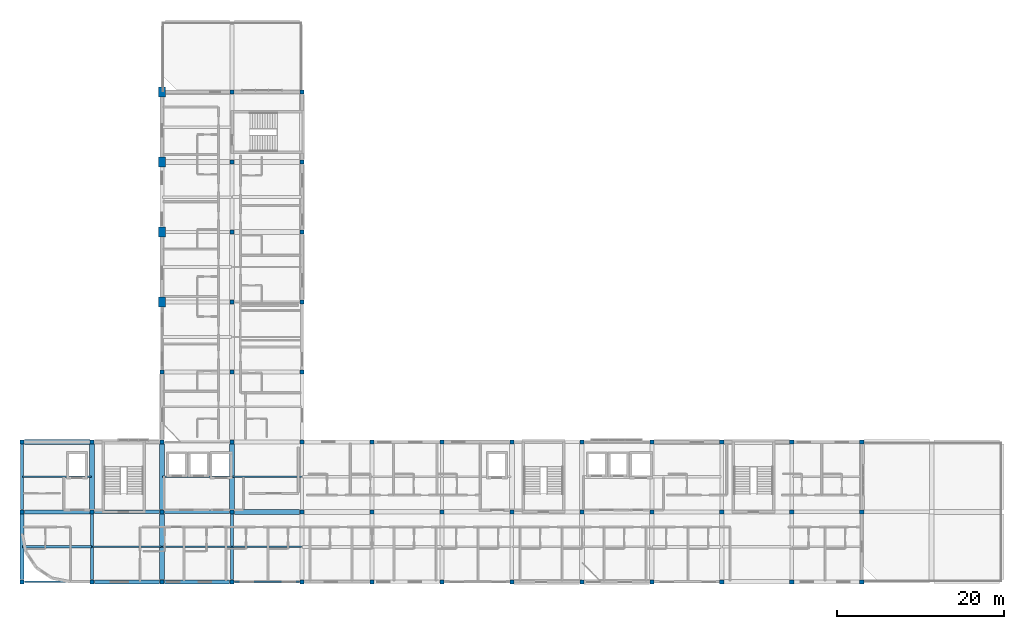
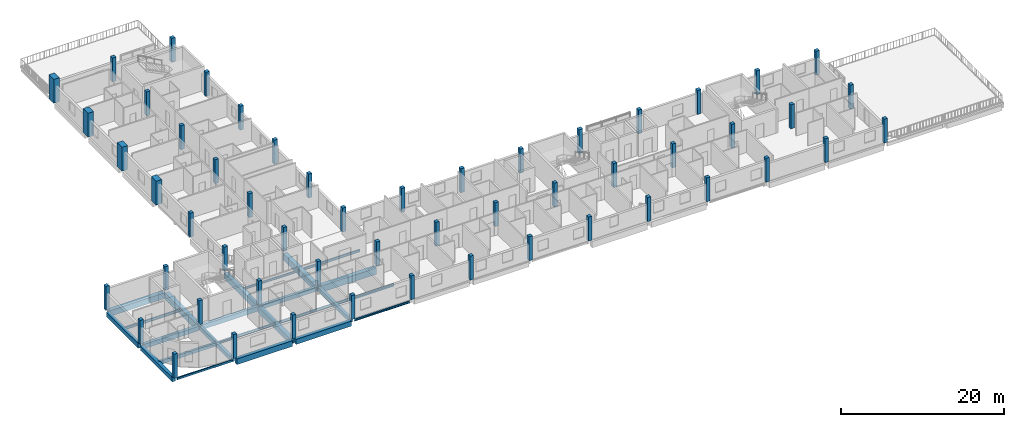
# One storey, part 1 of 20: 54 columns, 24 beams.
"""IFC4 building model written with IfcOpenShell, lengths in metres."""

from ifc_helpers import new_model, si_unit, derived_unit, direction, frame, origin, origin_2d, place, context, subcontext, project, spatial, rectangle, hollow_rectangle, i_section, extrude, material, material_profile, profile_set, type_object, element, save


model = new_model("IFC4")

# Units and contexts
model_context = context("Model", 3, precision=1e-05, world=origin(), true_north=direction((0.0, 1.0)))
body_context = subcontext(model_context, "Body", "Model", "MODEL_VIEW")
ifc_project = project(units=[si_unit("LENGTHUNIT", "METRE"), si_unit("AREAUNIT", "SQUARE_METRE"), si_unit("VOLUMEUNIT", "CUBIC_METRE"), si_unit("PLANEANGLEUNIT", "RADIAN"), si_unit("MASSUNIT", "GRAM", prefix="KILO"), derived_unit("THERMALTRANSMITTANCEUNIT", [(si_unit("POWERUNIT", "WATT"), 1), (si_unit("LENGTHUNIT", "METRE"), -2), (si_unit("THERMODYNAMICTEMPERATUREUNIT", "KELVIN"), -1)])], contexts=[model_context])

# Site, building, storey
site_placement = place(None, origin())
site = spatial("IfcSite", under=ifc_project, at=site_placement, CompositionType="ELEMENT")
building_placement = place(site_placement, origin())
building = spatial("IfcBuilding", under=site, at=building_placement, Name="Barrovel Congress Hotel", CompositionType="ELEMENT")
storey_placement = place(building_placement, frame((0.0, 0.0, 39.89990234375)))
storey = spatial("IfcBuildingStorey", under=building, at=storey_placement, Name="L10", CompositionType="ELEMENT", Elevation=39.89990234375)

# Columns
ifc_material_1 = material(Name="Concrete C40", Category="concrete")
ifc_material_profile_1 = material_profile(ifc_material_1, rectangle(XDim=0.5, YDim=0.5, at=origin_2d()), Name="RC500x500")
ifc_profile_set_1 = profile_set([ifc_material_profile_1], Name="Concrete C40")
column_type_1 = type_object("IfcColumnType", Name="COL-RC500x500", PredefinedType="COLUMN", material=ifc_profile_set_1)
for number, where, z_axis, x_axis, name in (
    (1, (16.800048828125, 4.199951171875, 0.0), (0.0, 0.0, 1.0), (1.0, 0.0, 0.0), "COL:L10:16.8:4.2"),
    (2, (16.800048828125, 12.60009765625, 0.0), (0.0, 0.0, 1.0), (1.0, 0.0, 0.0), "COL:L10:16.8:12.6"),
    (3, (16.800048828125, 21.0, 0.0), (0.0, 0.0, 1.0), (1.0, 0.0, 0.0), "COL:L10:16.8:21.0"),
    (4, (25.199951171875, 4.199951171875, 0.0), (0.0, 0.0, 1.0), (1.0, 0.0, 0.0), "COL:L10:25.2:4.2"),
    (5, (25.199951171875, 12.60009765625, 0.0), (0.0, 0.0, 1.0), (1.0, 0.0, 0.0), "COL:L10:25.2:12.6"),
    (6, (25.199951171875, 21.0, 0.0), (0.0, 0.0, 1.0), (1.0, 0.0, 0.0), "COL:L10:25.2:21.0"),
    (7, (33.60009765625, 4.199951171875, 0.0), (0.0, 0.0, 1.0), (1.0, 0.0, 0.0), "COL:L10:33.6:4.2"),
    (8, (33.60009765625, 12.60009765625, 0.0), (0.0, 0.0, 1.0), (1.0, 0.0, 0.0), "COL:L10:33.6:12.6"),
    (9, (33.60009765625, 21.0, 0.0), (0.0, 0.0, 1.0), (1.0, 0.0, 0.0), "COL:L10:33.6:21.0"),
    (10, (33.60009765625, 29.39990234375, 0.0), (0.0, 0.0, 1.0), (1.0, 0.0, 0.0), "COL:L10:33.6:29.4"),
    (11, (42.0, 4.199951171875, 0.0), (0.0, 0.0, 1.0), (1.0, 0.0, 0.0), "COL:L10:42.0:4.2"),
    (12, (42.0, 12.60009765625, 0.0), (0.0, 0.0, 1.0), (1.0, 0.0, 0.0), "COL:L10:42.0:12.6"),
    (13, (42.0, 21.0, 0.0), (0.0, 0.0, 1.0), (1.0, 0.0, 0.0), "COL:L10:42.0:21.0"),
    (14, (42.0, 29.39990234375, 0.0), (0.0, 0.0, 1.0), (1.0, 0.0, 0.0), "COL:L10:42.0:29.4"),
    (15, (42.0, 37.800048828125, 0.0), (0.0, 0.0, 1.0), (1.0, 0.0, 0.0), "COL:L10:42.0:37.8"),
    (16, (42.0, 46.199951171875, 0.0), (0.0, 0.0, 1.0), (1.0, 0.0, 0.0), "COL:L10:42.0:46.2"),
    (17, (42.0, 54.60009765625, 0.0), (0.0, 0.0, 1.0), (1.0, 0.0, 0.0), "COL:L10:42.0:54.6"),
    (18, (42.0, 63.0, 0.0), (0.0, 0.0, 1.0), (1.0, 0.0, 0.0), "COL:L10:42.0:63.0"),
    (19, (50.39990234375, 4.199951171875, 0.0), (0.0, 0.0, 1.0), (1.0, 0.0, 0.0), "COL:L10:50.4:4.2"),
    (20, (50.39990234375, 12.60009765625, 0.0), (0.0, 0.0, 1.0), (1.0, 0.0, 0.0), "COL:L10:50.4:12.6"),
    (21, (50.39990234375, 21.0, 0.0), (0.0, 0.0, 1.0), (1.0, 0.0, 0.0), "COL:L10:50.4:21.0"),
    (22, (50.39990234375, 29.39990234375, 0.0), (0.0, 0.0, 1.0), (1.0, 0.0, 0.0), "COL:L10:50.4:29.4"),
    (23, (50.39990234375, 37.800048828125, 0.0), (0.0, 0.0, 1.0), (1.0, 0.0, 0.0), "COL:L10:50.4:37.8"),
    (24, (50.39990234375, 46.199951171875, 0.0), (0.0, 0.0, 1.0), (1.0, 0.0, 0.0), "COL:L10:50.4:46.2"),
    (25, (50.39990234375, 54.60009765625, 0.0), (0.0, 0.0, 1.0), (1.0, 0.0, 0.0), "COL:L10:50.4:54.6"),
    (26, (50.39990234375, 63.0, 0.0), (0.0, 0.0, 1.0), (1.0, 0.0, 0.0), "COL:L10:50.4:63.0"),
    (27, (58.800048828125, 4.199951171875, 0.0), (0.0, 0.0, 1.0), (1.0, 0.0, 0.0), "COL:L10:58.8:4.2"),
    (28, (58.800048828125, 12.60009765625, 0.0), (0.0, 0.0, 1.0), (1.0, 0.0, 0.0), "COL:L10:58.8:12.6"),
    (29, (58.800048828125, 21.0, 0.0), (0.0, 0.0, 1.0), (1.0, 0.0, 0.0), "COL:L10:58.8:21.0"),
    (30, (67.199951171875, 4.199951171875, 0.0), (0.0, 0.0, 1.0), (1.0, 0.0, 0.0), "COL:L10:67.2:4.2"),
    (31, (67.199951171875, 12.60009765625, 0.0), (0.0, 0.0, 1.0), (1.0, 0.0, 0.0), "COL:L10:67.2:12.6"),
    (32, (67.199951171875, 21.0, 0.0), (0.0, 0.0, 1.0), (1.0, 0.0, 0.0), "COL:L10:67.2:21.0"),
    (33, (75.60009765625, 4.199951171875, 0.0), (0.0, 0.0, 1.0), (1.0, 0.0, 0.0), "COL:L10:75.6:4.2"),
    (34, (75.60009765625, 12.60009765625, 0.0), (0.0, 0.0, 1.0), (1.0, 0.0, 0.0), "COL:L10:75.6:12.6"),
    (35, (75.60009765625, 21.0, 0.0), (0.0, 0.0, 1.0), (1.0, 0.0, 0.0), "COL:L10:75.6:21.0"),
    (36, (84.0, 4.199951171875, 0.0), (0.0, 0.0, 1.0), (1.0, 0.0, 0.0), "COL:L10:84.0:4.2"),
    (37, (84.0, 12.60009765625, 0.0), (0.0, 0.0, 1.0), (1.0, 0.0, 0.0), "COL:L10:84.0:12.6"),
    (38, (84.0, 21.0, 0.0), (0.0, 0.0, 1.0), (1.0, 0.0, 0.0), "COL:L10:84.0:21.0"),
    (39, (92.39990234375, 4.199951171875, 0.0), (0.0, 0.0, 1.0), (1.0, 0.0, 0.0), "COL:L10:92.4:4.2"),
    (40, (92.39990234375, 12.60009765625, 0.0), (0.0, 0.0, 1.0), (1.0, 0.0, 0.0), "COL:L10:92.4:12.6"),
    (41, (92.39990234375, 21.0, 0.0), (0.0, 0.0, 1.0), (1.0, 0.0, 0.0), "COL:L10:92.4:21.0"),
    (42, (100.800048828125, 4.199951171875, 0.0), (0.0, 0.0, 1.0), (1.0, 0.0, 0.0), "COL:L10:100.8:4.2"),
    (43, (100.800048828125, 12.60009765625, 0.0), (0.0, 0.0, 1.0), (1.0, 0.0, 0.0), "COL:L10:100.8:12.6"),
    (44, (100.800048828125, 21.0, 0.0), (0.0, 0.0, 1.0), (1.0, 0.0, 0.0), "COL:L10:100.8:21.0"),
    (45, (109.199951171875, 4.199951171875, 0.0), (0.0, 0.0, 1.0), (1.0, 0.0, 0.0), "COL:L10:109.2:4.2"),
    (46, (109.199951171875, 12.60009765625, 0.0), (0.0, 0.0, 1.0), (1.0, 0.0, 0.0), "COL:L10:109.2:12.6"),
    (47, (109.199951171875, 21.0, 0.0), (0.0, 0.0, 1.0), (1.0, 0.0, 0.0), "COL:L10:109.2:21.0"),
    (48, (117.60009765625, 4.199951171875, 0.0), (0.0, 0.0, 1.0), (1.0, 0.0, 0.0), "COL:L10:117.6:4.2"),
    (49, (117.60009765625, 12.60009765625, 0.0), (0.0, 0.0, 1.0), (1.0, 0.0, 0.0), "COL:L10:117.6:12.6"),
    (50, (117.60009765625, 21.0, 0.0), (0.0, 0.0, 1.0), (1.0, 0.0, 0.0), "COL:L10:117.6:21.0"),
):
    element("IfcColumn", number, at=place(storey_placement, frame(where, z_axis=z_axis, x_axis=x_axis)), inside=storey, type_object=column_type_1, Name=name, PredefinedType="COLUMN", context=body_context, shape_type="SweptSolid", body=[
        extrude(rectangle(XDim=0.5, YDim=0.5, at=origin_2d()), origin(), (0.0, 0.0, 1.0), 3.60009765625),
    ])
ifc_material_profile_2 = material_profile(ifc_material_1, rectangle(XDim=0.800048828125, YDim=1.199951171875, at=origin_2d()), Name="RC800x1200")
ifc_profile_set_2 = profile_set([ifc_material_profile_2], Name="Concrete C40")
column_type_2 = type_object("IfcColumnType", Name="COL-RC800x1200", PredefinedType="COLUMN", material=ifc_profile_set_2)
for number, where, z_axis, x_axis, name in (
    (51, (33.60009765625, 37.800048828125, 0.0), (0.0, 0.0, 1.0), (1.0, 0.0, 0.0), "COL:L10:33.6:37.8"),
    (52, (33.60009765625, 46.199951171875, 0.0), (0.0, 0.0, 1.0), (1.0, 0.0, 0.0), "COL:L10:33.6:46.2"),
    (53, (33.60009765625, 54.60009765625, 0.0), (0.0, 0.0, 1.0), (1.0, 0.0, 0.0), "COL:L10:33.6:54.6"),
    (54, (33.60009765625, 63.0, 0.0), (0.0, 0.0, 1.0), (1.0, 0.0, 0.0), "COL:L10:33.6:63.0"),
):
    element("IfcColumn", number, at=place(storey_placement, frame(where, z_axis=z_axis, x_axis=x_axis)), inside=storey, type_object=column_type_2, Name=name, PredefinedType="COLUMN", context=body_context, shape_type="SweptSolid", body=[
        extrude(rectangle(XDim=0.800048828125, YDim=1.199951171875, at=origin_2d()), origin(), (0.0, 0.0, 1.0), 3.60009765625),
    ])

# Beams
ifc_material_profile_3 = material_profile(ifc_material_1, rectangle(XDim=0.300048828125, YDim=0.5, at=origin_2d()), Name="RC300x500")
ifc_profile_set_3 = profile_set([ifc_material_profile_3], Name="Concrete C40")
beam_type_1 = type_object("IfcBeamType", Name="BM-RC300x500", PredefinedType="JOIST", material=ifc_profile_set_3)
beam_1_placement = place(storey_placement, frame((16.8798828125, 8.39990234375, -0.469970703125), z_axis=(1.0, 0.0, 0.0), x_axis=(0.0, 1.0, 0.0)))
element("IfcBeam", 55, at=beam_1_placement, inside=storey, type_object=beam_type_1, Name="JST:L10:16.8:8.4", PredefinedType="JOIST", context=body_context, shape_type="SweptSolid", body=[
    extrude(rectangle(XDim=0.300048828125, YDim=0.5, at=origin_2d()), origin(), (0.0, 0.0, 1.0), 8.240234375),
])
ifc_material_profile_4 = material_profile(ifc_material_1, rectangle(XDim=0.39990234375, YDim=0.60009765625, at=origin_2d()), Name="RC400x600")
ifc_profile_set_4 = profile_set([ifc_material_profile_4], Name="Concrete C40")
beam_type_2 = type_object("IfcBeamType", Name="BM-RC400x600", PredefinedType="BEAM", material=ifc_profile_set_4)
beam_2_placement = place(storey_placement, frame((33.875, 12.60009765625, -0.52001953125), z_axis=(1.0, 0.0, 0.0), x_axis=(0.0, 1.0, 0.0)))
element("IfcBeam", 56, at=beam_2_placement, inside=storey, type_object=beam_type_2, Name="BMX:L10:12.6:33.6-42.0", PredefinedType="BEAM", context=body_context, shape_type="SweptSolid", body=[
    extrude(rectangle(XDim=0.39990234375, YDim=0.60009765625, at=origin_2d()), origin(), (0.0, 0.0, 1.0), 7.85009765625),
])
for number, where, z_axis, x_axis, name in (
    (57, (25.199951171875, 4.47509765625, -0.52001953125), (0.0, 1.0, 0.0), (-1.0, 0.0, 0.0), "BMY:L10:25.2:4.2-12.6"),
    (58, (42.0, 4.47509765625, -0.52001953125), (0.0, 1.0, 0.0), (-1.0, 0.0, 0.0), "BMY:L10:42.0:4.2-12.6"),
):
    element("IfcBeam", number, at=place(storey_placement, frame(where, z_axis=z_axis, x_axis=x_axis)), inside=storey, type_object=beam_type_2, Name=name, PredefinedType="BEAM", context=body_context, shape_type="SweptSolid", body=[
        extrude(rectangle(XDim=0.39990234375, YDim=0.60009765625, at=origin_2d()), origin(), (0.0, 0.0, 1.0), 7.849853515625),
    ])
ifc_material_profile_5 = material_profile(ifc_material_1, rectangle(XDim=0.39990234375, YDim=0.699951171875, at=origin_2d()), Name="RC400x700")
ifc_profile_set_5 = profile_set([ifc_material_profile_5], Name="Concrete C40")
beam_type_3 = type_object("IfcBeamType", Name="BM-RC400x700", PredefinedType="BEAM", material=ifc_profile_set_5)
beam_3_placement = place(storey_placement, frame((25.47509765625, 12.60009765625, -0.56982421875), z_axis=(1.0, 0.0, 0.0), x_axis=(0.0, 1.0, 0.0)))
element("IfcBeam", 59, at=beam_3_placement, inside=storey, type_object=beam_type_3, Name="BMX:L10:12.6:25.2-33.6", PredefinedType="BEAM", context=body_context, shape_type="SweptSolid", body=[
    extrude(rectangle(XDim=0.39990234375, YDim=0.699951171875, at=origin_2d()), origin(), (0.0, 0.0, 1.0), 7.849853515625),
])
beam_4_placement = place(storey_placement, frame((16.800048828125, 12.875, -0.56982421875), z_axis=(0.0, 1.0, 0.0), x_axis=(-1.0, 0.0, 0.0)))
element("IfcBeam", 60, at=beam_4_placement, inside=storey, type_object=beam_type_3, Name="BMY:L10:16.8:12.6-21.0", PredefinedType="BEAM", context=body_context, shape_type="SweptSolid", body=[
    extrude(rectangle(XDim=0.39990234375, YDim=0.699951171875, at=origin_2d()), origin(), (0.0, 0.0, 1.0), 7.85009765625),
])
ifc_material_profile_6 = material_profile(ifc_material_1, rectangle(XDim=0.449951171875, YDim=0.64990234375, at=origin_2d()), Name="RC450x650")
ifc_profile_set_6 = profile_set([ifc_material_profile_6], Name="Concrete C40")
beam_type_4 = type_object("IfcBeamType", Name="BM-RC450x650", PredefinedType="BEAM", material=ifc_profile_set_6)
beam_5_placement = place(storey_placement, frame((17.074951171875, 12.60009765625, -0.544921875), z_axis=(1.0, 0.0, 0.0), x_axis=(0.0, 1.0, 0.0)))
element("IfcBeam", 61, at=beam_5_placement, inside=storey, type_object=beam_type_4, Name="BMX:L10:12.6:16.8-25.2", PredefinedType="BEAM", context=body_context, shape_type="SweptSolid", body=[
    extrude(rectangle(XDim=0.449951171875, YDim=0.64990234375, at=origin_2d()), origin(), (0.0, 0.0, 1.0), 7.85009765625),
])
beam_6_placement = place(storey_placement, frame((16.800048828125, 4.47509765625, -0.544921875), z_axis=(0.0, 1.0, 0.0), x_axis=(-1.0, 0.0, 0.0)))
element("IfcBeam", 62, at=beam_6_placement, inside=storey, type_object=beam_type_4, Name="BMY:L10:16.8:4.2-12.6", PredefinedType="BEAM", context=body_context, shape_type="SweptSolid", body=[
    extrude(rectangle(XDim=0.449951171875, YDim=0.64990234375, at=origin_2d()), origin(), (0.0, 0.0, 1.0), 7.849853515625),
])
ifc_material_profile_7 = material_profile(ifc_material_1, rectangle(XDim=0.5, YDim=0.75, at=origin_2d()), Name="RC500x750")
ifc_profile_set_7 = profile_set([ifc_material_profile_7], Name="Concrete C40")
beam_type_5 = type_object("IfcBeamType", Name="BM-RC500x750", PredefinedType="BEAM", material=ifc_profile_set_7)
beam_7_placement = place(storey_placement, frame((33.875, 4.199951171875, -0.594970703125), z_axis=(1.0, 0.0, 0.0), x_axis=(0.0, 1.0, 0.0)))
element("IfcBeam", 63, at=beam_7_placement, inside=storey, type_object=beam_type_5, Name="BMX:L10:4.2:33.6-42.0", PredefinedType="BEAM", context=body_context, shape_type="SweptSolid", body=[
    extrude(rectangle(XDim=0.5, YDim=0.75, at=origin_2d()), origin(), (0.0, 0.0, 1.0), 7.85009765625),
])
ifc_material_profile_8 = material_profile(ifc_material_1, rectangle(XDim=0.5, YDim=0.85009765625, at=origin_2d()), Name="RC500x850")
ifc_profile_set_8 = profile_set([ifc_material_profile_8], Name="Concrete C40")
beam_type_6 = type_object("IfcBeamType", Name="BM-RC500x850", PredefinedType="BEAM", material=ifc_profile_set_8)
beam_8_placement = place(storey_placement, frame((25.47509765625, 4.199951171875, -0.64501953125), z_axis=(1.0, 0.0, 0.0), x_axis=(0.0, 1.0, 0.0)))
element("IfcBeam", 64, at=beam_8_placement, inside=storey, type_object=beam_type_6, Name="BMX:L10:4.2:25.2-33.6", PredefinedType="BEAM", context=body_context, shape_type="SweptSolid", body=[
    extrude(rectangle(XDim=0.5, YDim=0.85009765625, at=origin_2d()), origin(), (0.0, 0.0, 1.0), 7.849853515625),
])
ifc_material_profile_9 = material_profile(ifc_material_1, rectangle(XDim=0.550048828125, YDim=0.89990234375, at=origin_2d()), Name="RC550x900")
ifc_profile_set_9 = profile_set([ifc_material_profile_9], Name="Concrete C40")
beam_type_7 = type_object("IfcBeamType", Name="BM-RC550x900", PredefinedType="BEAM", material=ifc_profile_set_9)
beam_9_placement = place(storey_placement, frame((33.60009765625, 12.875, -0.669921875), z_axis=(0.0, 1.0, 0.0), x_axis=(-1.0, 0.0, 0.0)))
element("IfcBeam", 65, at=beam_9_placement, inside=storey, type_object=beam_type_7, Name="BMY:L10:33.6:12.6-21.0", PredefinedType="BEAM", context=body_context, shape_type="SweptSolid", body=[
    extrude(rectangle(XDim=0.550048828125, YDim=0.89990234375, at=origin_2d()), origin(), (0.0, 0.0, 1.0), 7.85009765625),
])
ifc_material_profile_10 = material_profile(ifc_material_1, rectangle(XDim=0.60009765625, YDim=0.85009765625, at=origin_2d()), Name="RC600x850")
ifc_profile_set_10 = profile_set([ifc_material_profile_10], Name="Concrete C40")
beam_type_8 = type_object("IfcBeamType", Name="BM-RC600x850", PredefinedType="BEAM", material=ifc_profile_set_10)
beam_10_placement = place(storey_placement, frame((17.074951171875, 21.0, -0.64501953125), z_axis=(1.0, 0.0, 0.0), x_axis=(0.0, 1.0, 0.0)))
element("IfcBeam", 66, at=beam_10_placement, inside=storey, type_object=beam_type_8, Name="BMX:L10:21.0:16.8-25.2", PredefinedType="BEAM", context=body_context, shape_type="SweptSolid", body=[
    extrude(rectangle(XDim=0.60009765625, YDim=0.85009765625, at=origin_2d()), origin(), (0.0, 0.0, 1.0), 7.85009765625),
])
beam_11_placement = place(storey_placement, frame((33.60009765625, 4.47509765625, -0.64501953125), z_axis=(0.0, 1.0, 0.0), x_axis=(-1.0, 0.0, 0.0)))
element("IfcBeam", 67, at=beam_11_placement, inside=storey, type_object=beam_type_8, Name="BMY:L10:33.6:4.2-12.6", PredefinedType="BEAM", context=body_context, shape_type="SweptSolid", body=[
    extrude(rectangle(XDim=0.60009765625, YDim=0.85009765625, at=origin_2d()), origin(), (0.0, 0.0, 1.0), 7.849853515625),
])
ifc_material_profile_11 = material_profile(ifc_material_1, rectangle(XDim=0.60009765625, YDim=0.949951171875, at=origin_2d()), Name="RC600x950")
ifc_profile_set_11 = profile_set([ifc_material_profile_11], Name="Concrete C40")
beam_type_9 = type_object("IfcBeamType", Name="BM-RC600x950", PredefinedType="BEAM", material=ifc_profile_set_11)
for number, where, z_axis, x_axis, name in (
    (68, (42.27490234375, 12.60009765625, -0.69482421875), (1.0, 0.0, 0.0), (0.0, 1.0, 0.0), "BMX:L10:12.6:42.0-50.4"),
    (69, (25.199951171875, 12.875, -0.69482421875), (0.0, 1.0, 0.0), (-1.0, 0.0, 0.0), "BMY:L10:25.2:12.6-21.0"),
    (70, (42.0, 12.875, -0.69482421875), (0.0, 1.0, 0.0), (-1.0, 0.0, 0.0), "BMY:L10:42.0:12.6-21.0"),
):
    element("IfcBeam", number, at=place(storey_placement, frame(where, z_axis=z_axis, x_axis=x_axis)), inside=storey, type_object=beam_type_9, Name=name, PredefinedType="BEAM", context=body_context, shape_type="SweptSolid", body=[
        extrude(rectangle(XDim=0.60009765625, YDim=0.949951171875, at=origin_2d()), origin(), (0.0, 0.0, 1.0), 7.85009765625),
    ])
ifc_material_2 = material(Name="Steel ASTM A500 Grade C", Category="steel")
ifc_material_profile_12 = material_profile(ifc_material_2, hollow_rectangle(XDim=0.203125, YDim=0.3046875, WallThickness=0.01171875, InnerFilletRadius=0.01171875, OuterFilletRadius=0.023681640625, at=origin_2d()), Name="HSS305x203x12.7")
ifc_profile_set_12 = profile_set([ifc_material_profile_12], Name="Steel ASTM A500 Grade C")
beam_type_10 = type_object("IfcBeamType", Name="SBM-HSS305x203x12.7", PredefinedType="SPANDREL", material=ifc_profile_set_12)
beam_12_placement = place(storey_placement, frame((17.074951171875, 4.199951171875, -0.372314453125), z_axis=(1.0, 0.0, 0.0), x_axis=(0.0, 1.0, 0.0)))
element("IfcBeam", 71, at=beam_12_placement, inside=storey, type_object=beam_type_10, Name="BMX:L10:4.2:16.8-25.2", PredefinedType="SPANDREL", context=body_context, shape_type="SweptSolid", body=[
    extrude(hollow_rectangle(XDim=0.203125, YDim=0.3046875, WallThickness=0.01171875, InnerFilletRadius=0.01171875, OuterFilletRadius=0.023681640625, at=origin_2d()), origin(), (0.0, 0.0, 1.0), 7.85009765625),
])
ifc_material_3 = material(Name="Steel ASTM A992 Grade 50", Category="steel")
ifc_material_profile_13 = material_profile(ifc_material_3, i_section(OverallWidth=0.1669921875, OverallDepth=0.31689453125, WebThickness=0.007568359375, FlangeThickness=0.01318359375, FilletRadius=0.010986328125, at=origin_2d()), Name="W310x52")
ifc_profile_set_13 = profile_set([ifc_material_profile_13], Name="Steel ASTM A992 Grade 50")
beam_type_11 = type_object("IfcBeamType", Name="SBM-W310x52", PredefinedType="JOIST", material=ifc_profile_set_13)
beam_13_placement = place(storey_placement, frame((33.679931640625, 16.800048828125, -0.37841796875), z_axis=(1.0, 0.0, 0.0), x_axis=(0.0, 1.0, 0.0)))
element("IfcBeam", 72, at=beam_13_placement, inside=storey, type_object=beam_type_11, Name="JST:L10:33.6:16.8", PredefinedType="JOIST", context=body_context, shape_type="SweptSolid", body=[
    extrude(i_section(OverallWidth=0.1669921875, OverallDepth=0.31689453125, WebThickness=0.007568359375, FlangeThickness=0.01318359375, FilletRadius=0.010986328125, at=origin_2d()), origin(), (0.0, 0.0, 1.0), 8.239990234375),
])
ifc_material_profile_14 = material_profile(ifc_material_3, i_section(OverallWidth=0.205078125, OverallDepth=0.31005859375, WebThickness=0.009521484375, FlangeThickness=0.016357421875, FilletRadius=0.012939453125, at=origin_2d()), Name="W310x74")
ifc_profile_set_14 = profile_set([ifc_material_profile_14], Name="Steel ASTM A992 Grade 50")
beam_type_12 = type_object("IfcBeamType", Name="SBM-W310x74", PredefinedType="SPANDREL", material=ifc_profile_set_14)
beam_14_placement = place(storey_placement, frame((42.27490234375, 4.199951171875, -0.375), z_axis=(1.0, 0.0, 0.0), x_axis=(0.0, 1.0, 0.0)))
element("IfcBeam", 73, at=beam_14_placement, inside=storey, type_object=beam_type_12, Name="BMX:L10:4.2:42.0-50.4", PredefinedType="SPANDREL", context=body_context, shape_type="SweptSolid", body=[
    extrude(i_section(OverallWidth=0.205078125, OverallDepth=0.31005859375, WebThickness=0.009521484375, FlangeThickness=0.016357421875, FilletRadius=0.012939453125, at=origin_2d()), origin(), (0.0, 0.0, 1.0), 7.85009765625),
])
ifc_material_profile_15 = material_profile(ifc_material_3, i_section(OverallWidth=0.1708984375, OverallDepth=0.35205078125, WebThickness=0.0068359375, FlangeThickness=0.009765625, FilletRadius=0.011962890625, at=origin_2d()), Name="W360x44")
ifc_profile_set_15 = profile_set([ifc_material_profile_15], Name="Steel ASTM A992 Grade 50")
beam_type_13 = type_object("IfcBeamType", Name="SBM-W360x44", PredefinedType="JOIST", material=ifc_profile_set_15)
beam_15_placement = place(storey_placement, frame((33.679931640625, 8.39990234375, -0.39599609375), z_axis=(1.0, 0.0, 0.0), x_axis=(0.0, 1.0, 0.0)))
element("IfcBeam", 74, at=beam_15_placement, inside=storey, type_object=beam_type_13, Name="JST:L10:33.6:8.4", PredefinedType="JOIST", context=body_context, shape_type="SweptSolid", body=[
    extrude(i_section(OverallWidth=0.1708984375, OverallDepth=0.35205078125, WebThickness=0.0068359375, FlangeThickness=0.009765625, FilletRadius=0.011962890625, at=origin_2d()), origin(), (0.0, 0.0, 1.0), 8.239990234375),
])
ifc_material_profile_16 = material_profile(ifc_material_3, i_section(OverallWidth=0.172119140625, OverallDepth=0.35791015625, WebThickness=0.0078125, FlangeThickness=0.01318359375, FilletRadius=0.011962890625, at=origin_2d()), Name="W360x57")
ifc_profile_set_16 = profile_set([ifc_material_profile_16], Name="Steel ASTM A992 Grade 50")
beam_type_14 = type_object("IfcBeamType", Name="SBM-W360x57", PredefinedType="JOIST", material=ifc_profile_set_16)
for number, where, z_axis, x_axis, name in (
    (75, (25.280029296875, 8.39990234375, -0.39892578125), (1.0, 0.0, 0.0), (0.0, 1.0, 0.0), "JST:L10:25.2:8.4"),
    (76, (42.080078125, 16.800048828125, -0.39892578125), (1.0, 0.0, 0.0), (0.0, 1.0, 0.0), "JST:L10:42.0:16.8"),
):
    element("IfcBeam", number, at=place(storey_placement, frame(where, z_axis=z_axis, x_axis=x_axis)), inside=storey, type_object=beam_type_14, Name=name, PredefinedType="JOIST", context=body_context, shape_type="SweptSolid", body=[
        extrude(i_section(OverallWidth=0.172119140625, OverallDepth=0.35791015625, WebThickness=0.0078125, FlangeThickness=0.01318359375, FilletRadius=0.011962890625, at=origin_2d()), origin(), (0.0, 0.0, 1.0), 8.239990234375),
    ])
ifc_material_profile_17 = material_profile(ifc_material_3, i_section(OverallWidth=0.177001953125, OverallDepth=0.403076171875, WebThickness=0.007568359375, FlangeThickness=0.010986328125, FilletRadius=0.011962890625, at=origin_2d()), Name="W410x53")
ifc_profile_set_17 = profile_set([ifc_material_profile_17], Name="Steel ASTM A992 Grade 50")
beam_type_15 = type_object("IfcBeamType", Name="SBM-W410x53", PredefinedType="JOIST", material=ifc_profile_set_17)
beam_16_placement = place(storey_placement, frame((16.8798828125, 16.800048828125, -0.42138671875), z_axis=(1.0, 0.0, 0.0), x_axis=(0.0, 1.0, 0.0)))
element("IfcBeam", 77, at=beam_16_placement, inside=storey, type_object=beam_type_15, Name="JST:L10:16.8:16.8", PredefinedType="JOIST", context=body_context, shape_type="SweptSolid", body=[
    extrude(i_section(OverallWidth=0.177001953125, OverallDepth=0.403076171875, WebThickness=0.007568359375, FlangeThickness=0.010986328125, FilletRadius=0.011962890625, at=origin_2d()), origin(), (0.0, 0.0, 1.0), 8.240234375),
])
beam_17_placement = place(storey_placement, frame((42.080078125, 8.39990234375, -0.42138671875), z_axis=(1.0, 0.0, 0.0), x_axis=(0.0, 1.0, 0.0)))
element("IfcBeam", 78, at=beam_17_placement, inside=storey, type_object=beam_type_15, Name="JST:L10:42.0:8.4", PredefinedType="JOIST", context=body_context, shape_type="SweptSolid", body=[
    extrude(i_section(OverallWidth=0.177001953125, OverallDepth=0.403076171875, WebThickness=0.007568359375, FlangeThickness=0.010986328125, FilletRadius=0.011962890625, at=origin_2d()), origin(), (0.0, 0.0, 1.0), 8.239990234375),
])

save(model, "model.ifc")
